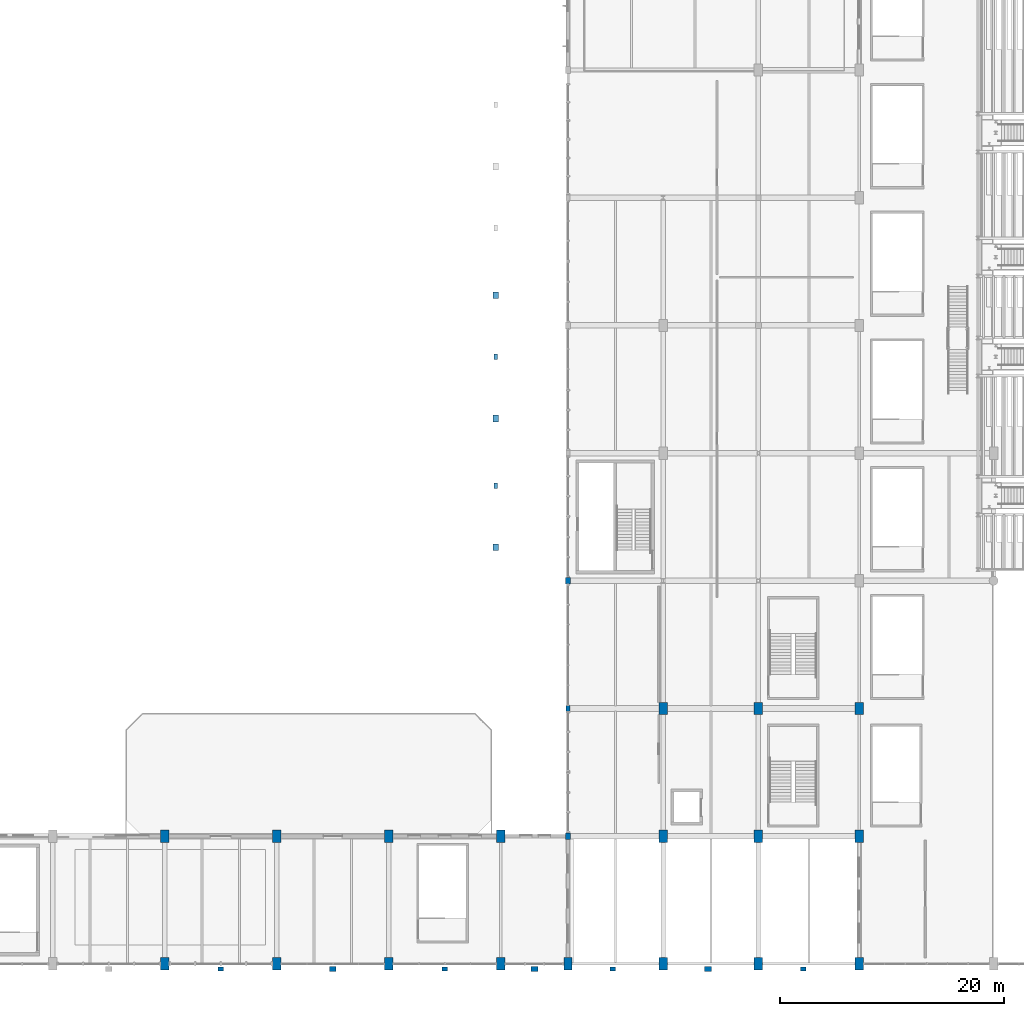
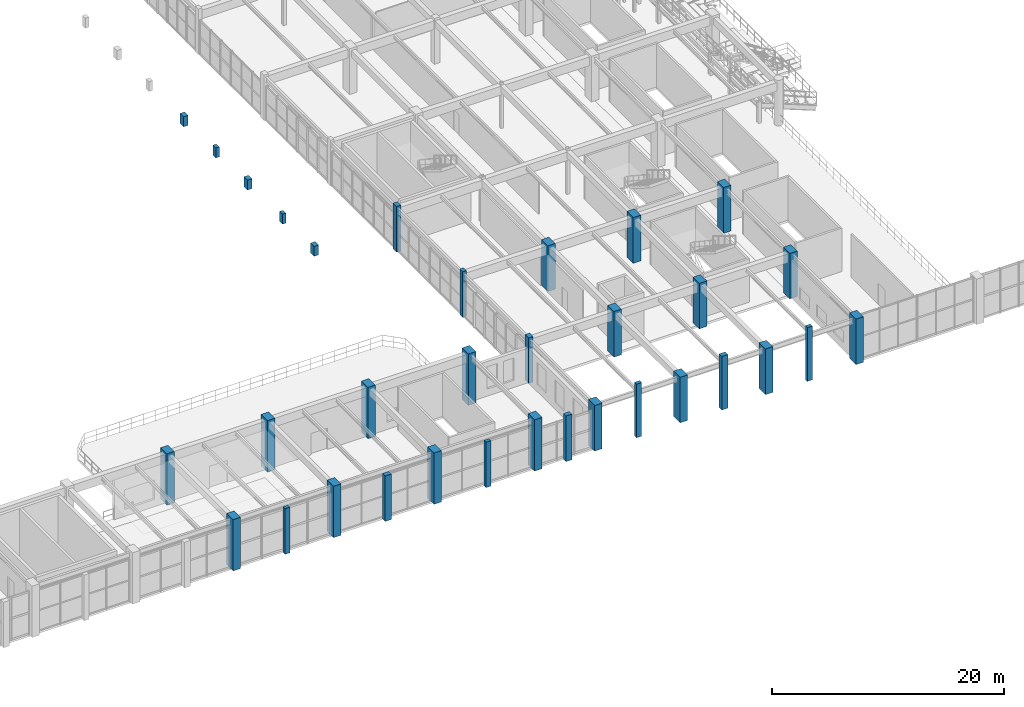
# One storey, part 5 of 106: 33 columns.
"""IFC4 building model written with IfcOpenShell, lengths in metres."""

import ifcopenshell
import ifcopenshell.guid

model = None  # the IFC model being written
_history = None  # IfcOwnerHistory: only IFC2X3 demands one
_inside = {}  # id of a spatial element -> (the spatial element, [elements in it])
_under = {}  # id of a project, library or spatial element -> (it, [spatial elements below it])
_declared = {}  # id of a project -> (the project, [libraries it declares])
_typed = {}  # id of a type object -> (the type object, [elements of that type])
_made_of = {}  # id of a material, layer set ... -> (it, [elements and type objects made of it])


def new_model(schema):
    """Start an empty IFC model of exactly this schema.

    Asked for "IFC4X3", IfcOpenShell would pick the latest addendum, in which some entities
    have other attributes; the version numbers below select the first issue.
    IFC2X3 requires an IfcOwnerHistory on every rooted entity: one is made here for all.
    """
    global model, _history
    if schema == "IFC4X3":
        model = ifcopenshell.file(schema_version=(4, 3, 0, 0))
    else:
        model = ifcopenshell.file(schema=schema)
    _inside.clear()
    _under.clear()
    _declared.clear()
    _typed.clear()
    _made_of.clear()
    _history = None
    if model.schema == "IFC2X3":
        org = make("IfcOrganization", Name="unknown")
        user = make(
            "IfcPersonAndOrganization",
            ThePerson=make("IfcPerson", FamilyName="unknown"),
            TheOrganization=org,
        )
        app = make(
            "IfcApplication",
            ApplicationDeveloper=org,
            Version="unknown",
            ApplicationFullName="unknown",
            ApplicationIdentifier="unknown",
        )
        _history = make(
            "IfcOwnerHistory",
            OwningUser=user,
            OwningApplication=app,
            ChangeAction="ADDED",
            CreationDate=0,
        )
    return model


def make(cls, **values):
    """One entity of the class cls with the attributes given. An attribute that is None is left unset."""
    return model.create_entity(
        cls, **{name: value for name, value in values.items() if value is not None}
    )


def rooted(cls, **values):
    """An entity with a GlobalId (a new one), such as an element, a storey or a relation."""
    return make(cls, GlobalId=ifcopenshell.guid.new(), OwnerHistory=_history, **values)


def si_unit(unit_type, name, prefix=None):
    """IfcSIUnit, for example si_unit("LENGTHUNIT", "METRE", prefix="MILLI")."""
    return make("IfcSIUnit", UnitType=unit_type, Prefix=prefix, Name=name)


def assignment(units):
    """IfcUnitAssignment: the units of a project."""
    return None if units is None else make("IfcUnitAssignment", Units=units)


def point(xyz):
    """IfcCartesianPoint."""
    return None if xyz is None else make("IfcCartesianPoint", Coordinates=xyz)


def direction(xyz):
    """IfcDirection."""
    return None if xyz is None else make("IfcDirection", DirectionRatios=xyz)


def frame(location, z_axis=None, x_axis=None):
    """IfcAxis2Placement3D, a coordinate frame: its origin and axes. An axis left out is left unset."""
    return make(
        "IfcAxis2Placement3D",
        Location=point(location),
        Axis=direction(z_axis),
        RefDirection=direction(x_axis),
    )


def frame_2d(location, x_axis=None):
    """IfcAxis2Placement2D, a coordinate frame in the plane: its origin and x axis."""
    return make(
        "IfcAxis2Placement2D", Location=point(location), RefDirection=direction(x_axis)
    )


def origin():
    """The frame at (0, 0, 0) with its axes left unset."""
    return frame((0.0, 0.0, 0.0))


def origin_2d():
    """The frame at (0, 0) in the plane with its x axis left unset."""
    return frame_2d((0.0, 0.0))


def place(relative_to, where):
    """IfcLocalPlacement: puts the frame where relative to a parent placement (None: the world)."""
    return make(
        "IfcLocalPlacement", PlacementRelTo=relative_to, RelativePlacement=where
    )


def context(
    kind, dimensions, precision=None, world=None, true_north=None, identifier=None
):
    """IfcGeometricRepresentationContext, for example the 3D "Model" context."""
    return make(
        "IfcGeometricRepresentationContext",
        ContextIdentifier=identifier,
        ContextType=kind,
        CoordinateSpaceDimension=dimensions,
        Precision=precision,
        WorldCoordinateSystem=world,
        TrueNorth=true_north,
    )


def subcontext(parent, identifier, kind, view, scale=None):
    """IfcGeometricRepresentationSubContext, for example "Body" below "Model"."""
    return make(
        "IfcGeometricRepresentationSubContext",
        ContextIdentifier=identifier,
        ContextType=kind,
        ParentContext=parent,
        TargetScale=scale,
        TargetView=view,
    )


def project(units=None, contexts=None):
    """IfcProject with its units and contexts."""
    return rooted(
        "IfcProject",
        Name="project",
        RepresentationContexts=contexts,
        UnitsInContext=assignment(units),
    )


def spatial(cls, under=None, at=None, **own):
    """A site, building, storey or space (cls), placed at a placement, below another one or the project."""
    s = rooted(cls, ObjectPlacement=at, **own)
    if under is not None:
        _under.setdefault(under.id(), (under, []))[1].append(s)
    return s


def profile(cls, at=None, kind="AREA", **sizes):
    """A parametric profile (cls). Its sizes go by their IFC names, for example OverallWidth=200.0."""
    return make(cls, ProfileType=kind, Position=at, **sizes)


def rectangle(**sizes):
    """IfcRectangleProfileDef."""
    return profile("IfcRectangleProfileDef", **sizes)


def extrude(swept, where, along, depth):
    """IfcExtrudedAreaSolid: the profile swept, set in the frame where, extruded along a direction by depth."""
    return make(
        "IfcExtrudedAreaSolid",
        SweptArea=swept,
        Position=where,
        ExtrudedDirection=direction(along),
        Depth=depth,
    )


def shape(context_of_items, identifier, shape_type, items):
    """IfcShapeRepresentation: the items that make up one representation, for example the "Body"."""
    return make(
        "IfcShapeRepresentation",
        ContextOfItems=context_of_items,
        RepresentationIdentifier=identifier,
        RepresentationType=shape_type,
        Items=items,
    )


def material(Name=None, Category=None):
    """IfcMaterial."""
    return make("IfcMaterial", Name=Name, Category=Category)


def material_profile(
    of_material, cross_section, Name=None, Category=None, Priority=None
):
    """IfcMaterialProfile: a cross section and its material."""
    return make(
        "IfcMaterialProfile",
        Name=Name,
        Material=of_material,
        Profile=cross_section,
        Priority=Priority,
        Category=Category,
    )


def profile_set(profiles, Name=None, composite=None):
    """IfcMaterialProfileSet."""
    return make(
        "IfcMaterialProfileSet",
        Name=Name,
        MaterialProfiles=profiles,
        CompositeProfile=composite,
    )


def made_of(thing, what):
    """Note that an element or type object is made of a material, layer set ...; save() writes the relation."""
    if what is not None:
        _made_of.setdefault(what.id(), (what, []))[1].append(thing)
    return thing


def type_object(cls, material=None, **own):
    """A type object (cls), such as IfcWallType, which elements share."""
    return made_of(rooted(cls, **own), material)


def element(
    cls,
    number,
    at=None,
    inside=None,
    cuts=None,
    type_object=None,
    material=None,
    context=None,
    identifier="Body",
    shape_type=None,
    held_by="IfcProductDefinitionShape",
    body=None,
    shapes=None,
    **own,
):
    """One element of the class cls, such as IfcWall. Its Tag is "e" and its number.

    at: its placement. inside: the storey or other place that contains it. cuts: it is an
    opening in that element (IfcRelVoidsElement). A single representation is given by context,
    identifier, shape_type and body (its items); several are given by shapes. held_by: the class
    of the entity that holds the representations. save() writes the other relations.
    """
    e = rooted(cls, Tag="e%d" % number, ObjectPlacement=at, **own)
    if body is not None:
        shapes = [shape(context, identifier, shape_type, body)]
    if shapes is not None:
        e.Representation = make(held_by, Representations=shapes)
    if inside is not None:
        _inside.setdefault(inside.id(), (inside, []))[1].append(e)
    if cuts is not None:
        rooted(
            "IfcRelVoidsElement", RelatingBuildingElement=cuts, RelatedOpeningElement=e
        )
    if type_object is not None:
        _typed.setdefault(type_object.id(), (type_object, []))[1].append(e)
    return made_of(e, material)


def aggregate(whole, parts):
    """IfcRelAggregates: a whole, such as a stair, and the parts it consists of."""
    return rooted("IfcRelAggregates", RelatingObject=whole, RelatedObjects=parts)


def save(model, path):
    """Write the relations noted so far, then the file.

    IfcRelAggregates (storeys below a building ...), IfcRelContainedInSpatialStructure (elements
    in a storey), IfcRelDefinesByType, IfcRelAssociatesMaterial and IfcRelDeclares: one each for
    every whole, place, type object, material and project.
    """
    for whole, parts in _under.values():
        aggregate(whole, parts)
    for where, things in _inside.values():
        rooted(
            "IfcRelContainedInSpatialStructure",
            RelatedElements=things,
            RelatingStructure=where,
        )
    for kind, things in _typed.values():
        rooted("IfcRelDefinesByType", RelatedObjects=things, RelatingType=kind)
    for what, things in _made_of.values():
        rooted("IfcRelAssociatesMaterial", RelatedObjects=things, RelatingMaterial=what)
    for by, libraries in _declared.values():
        rooted("IfcRelDeclares", RelatingContext=by, RelatedDefinitions=libraries)
    model.write(path)


model = new_model("IFC4")

# Units and contexts
model_context = context("Model", 3, precision=1e-05, world=origin(), true_north=direction((0.0, 1.0)))
body_context = subcontext(model_context, "Body", "Model", "MODEL_VIEW")
ifc_project = project(units=[si_unit("LENGTHUNIT", "METRE"), si_unit("AREAUNIT", "SQUARE_METRE"), si_unit("VOLUMEUNIT", "CUBIC_METRE"), si_unit("PLANEANGLEUNIT", "RADIAN"), si_unit("MASSUNIT", "GRAM", prefix="KILO"), si_unit("POWERUNIT", "WATT"), si_unit("THERMODYNAMICTEMPERATUREUNIT", "KELVIN")], contexts=[model_context])

# Site, building, storey
site_placement = place(None, origin())
site = spatial("IfcSite", under=ifc_project, at=site_placement, CompositionType="ELEMENT")
building_placement = place(site_placement, origin())
building = spatial("IfcBuilding", under=site, at=building_placement, Name="Kelmbourne Parkland Aquatics Centre", CompositionType="ELEMENT")
storey_placement = place(building_placement, frame((0.0, 0.0, 5.39990234375)))
storey = spatial("IfcBuildingStorey", under=building, at=storey_placement, Name="L01", CompositionType="ELEMENT", Elevation=5.39990234375)

# Columns
ifc_material_1 = material(Name="Concrete C40/50", Category="concrete")
ifc_material_profile_1 = material_profile(ifc_material_1, rectangle(XDim=0.75, YDim=1.10009765625, at=origin_2d()), Name="RC 750x1100")
ifc_profile_set_1 = profile_set([ifc_material_profile_1], Name="Concrete C40/50")
column_type_1 = type_object("IfcColumnType", Name="COL-C03", PredefinedType="COLUMN", material=ifc_profile_set_1)
for number, where, z_axis, x_axis, name in (
    (1, (66.0, 0.800048828125, 0.0), (0.0, 0.0, 1.0), (1.0, 0.0, 0.0), "Structural column I-01 (L01)"),
    (2, (66.0, 12.199951171875, 0.0), (0.0, 0.0, 1.0), (1.0, 0.0, 0.0), "Structural column I-03 (L01)"),
    (3, (76.0, 0.800048828125, 0.0), (0.0, 0.0, 1.0), (1.0, 0.0, 0.0), "Structural column J-01 (L01)"),
    (4, (76.0, 12.199951171875, 0.0), (0.0, 0.0, 1.0), (1.0, 0.0, 0.0), "Structural column J-03 (L01)"),
    (5, (86.0, 0.800048828125, 0.0), (0.0, 0.0, 1.0), (1.0, 0.0, 0.0), "Structural column K-01 (L01)"),
    (6, (86.0, 12.199951171875, 0.0), (0.0, 0.0, 1.0), (1.0, 0.0, 0.0), "Structural column K-03 (L01)"),
    (7, (96.0, 0.800048828125, 0.0), (0.0, 0.0, 1.0), (1.0, 0.0, 0.0), "Structural column L-01 (L01)"),
    (8, (96.0, 12.199951171875, 0.0), (0.0, 0.0, 1.0), (1.0, 0.0, 0.0), "Structural column L-03 (L01)"),
):
    element("IfcColumn", number, at=place(storey_placement, frame(where, z_axis=z_axis, x_axis=x_axis)), inside=storey, type_object=column_type_1, Name=name, PredefinedType="COLUMN", context=body_context, shape_type="SweptSolid", body=[
        extrude(rectangle(XDim=0.75, YDim=1.10009765625, at=origin_2d()), origin(), (0.0, 0.0, 1.0), 5.400146484375),
    ])
for number, where, z_axis, x_axis, name in (
    (9, (102.0, 0.800048828125, 0.0), (0.0, 0.0, 1.0), (1.0, 0.0, 0.0), "Structural column M-01 (L01)"),
    (10, (110.5, 0.800048828125, 0.0), (0.0, 0.0, 1.0), (1.0, 0.0, 0.0), "Structural column N-01 (L01)"),
    (11, (110.5, 12.199951171875, 0.0), (0.0, 0.0, 1.0), (1.0, 0.0, 0.0), "Structural column N-03 (L01)"),
    (12, (110.5, 23.60009765625, 0.0), (0.0, 0.0, 1.0), (1.0, 0.0, 0.0), "Structural column N-04 (L01)"),
    (13, (119.0, 0.800048828125, 0.0), (0.0, 0.0, 1.0), (1.0, 0.0, 0.0), "Structural column O-01 (L01)"),
    (14, (119.0, 12.199951171875, 0.0), (0.0, 0.0, 1.0), (1.0, 0.0, 0.0), "Structural column O-03 (L01)"),
    (15, (119.0, 23.60009765625, 0.0), (0.0, 0.0, 1.0), (1.0, 0.0, 0.0), "Structural column O-04 (L01)"),
    (16, (128.0, 0.800048828125, 0.0), (0.0, 0.0, 1.0), (1.0, 0.0, 0.0), "Structural column P-01 (L01)"),
    (17, (128.0, 12.199951171875, 0.0), (0.0, 0.0, 1.0), (1.0, 0.0, 0.0), "Structural column P-03 (L01)"),
    (18, (128.0, 23.60009765625, 0.0), (0.0, 0.0, 1.0), (1.0, 0.0, 0.0), "Structural column P-04 (L01)"),
):
    element("IfcColumn", number, at=place(storey_placement, frame(where, z_axis=z_axis, x_axis=x_axis)), inside=storey, type_object=column_type_1, Name=name, PredefinedType="COLUMN", context=body_context, shape_type="SweptSolid", body=[
        extrude(rectangle(XDim=0.75, YDim=1.10009765625, at=origin_2d()), origin(), (0.0, 0.0, 1.0), 4.800048828125),
    ])
ifc_material_2 = material(Name="Clay brick masonry AS 3700 M12", Category="masonry")
ifc_material_profile_2 = material_profile(ifc_material_2, rectangle(XDim=0.35009765625, YDim=0.5, at=origin_2d()), Name="PIL 350x500")
ifc_profile_set_2 = profile_set([ifc_material_profile_2], Name="Clay brick masonry AS 3700 M12")
column_type_2 = type_object("IfcColumnType", Name="PIL-PL1", PredefinedType="PILASTER", material=ifc_profile_set_2)
for number, where, z_axis, x_axis, name in (
    (19, (102.0, 23.60009765625, 0.0), (0.0, 0.0, 1.0), (1.0, 0.0, 0.0), "Engaged brick pilaster M-04 (L01)"),
    (20, (71.0, 0.35009765625, 0.0), (0.0, 0.0, 1.0), (0.0, 1.0, 0.0), "Amsterdam School engaged brick buttress S-027 (L01)"),
    (21, (91.0, 0.35009765625, 0.0), (0.0, 0.0, 1.0), (0.0, 1.0, 0.0), "Amsterdam School engaged brick buttress S-029 (L01)"),
):
    element("IfcColumn", number, at=place(storey_placement, frame(where, z_axis=z_axis, x_axis=x_axis)), inside=storey, type_object=column_type_2, Name=name, PredefinedType="PILASTER", context=body_context, shape_type="SweptSolid", body=[
        extrude(rectangle(XDim=0.35009765625, YDim=0.5, at=origin_2d()), origin(), (0.0, 0.0, 1.0), 4.800048828125),
    ])
for number, where, z_axis, x_axis, name in (
    (22, (106.0, 0.35009765625, 0.0), (0.0, 0.0, 1.0), (0.0, 1.0, 0.0), "Amsterdam School engaged brick buttress S-031 (L01)"),
    (23, (123.0, 0.35009765625, 0.0), (0.0, 0.0, 1.0), (0.0, 1.0, 0.0), "Amsterdam School engaged brick buttress S-033 (L01)"),
):
    element("IfcColumn", number, at=place(storey_placement, frame(where, z_axis=z_axis, x_axis=x_axis)), inside=storey, type_object=column_type_2, Name=name, PredefinedType="PILASTER", context=body_context, shape_type="SweptSolid", body=[
        extrude(rectangle(XDim=0.35009765625, YDim=0.5, at=origin_2d()), origin(), (0.0, 0.0, 1.0), 5.650146484375),
    ])
for number, where, z_axis, x_axis, name in (
    (24, (95.550048828125, 43.5, 0.0), (0.0, 0.0, 1.0), (1.0, 0.0, 0.0), "Amsterdam School engaged brick buttress CE-043 (L01)"),
    (25, (95.550048828125, 55.0, 0.0), (0.0, 0.0, 1.0), (1.0, 0.0, 0.0), "Amsterdam School engaged brick buttress CE-045 (L01)"),
):
    element("IfcColumn", number, at=place(storey_placement, frame(where, z_axis=z_axis, x_axis=x_axis)), inside=storey, type_object=column_type_2, Name=name, PredefinedType="PILASTER", context=body_context, shape_type="SweptSolid", body=[
        extrude(rectangle(XDim=0.35009765625, YDim=0.5, at=origin_2d()), origin(), (0.0, 0.0, 1.0), 1.050048828125),
    ])
ifc_material_profile_3 = material_profile(ifc_material_2, rectangle(XDim=0.449951171875, YDim=0.60009765625, at=origin_2d()), Name="PIL 450x600")
ifc_profile_set_3 = profile_set([ifc_material_profile_3], Name="Clay brick masonry AS 3700 M12")
column_type_3 = type_object("IfcColumnType", Name="PIL-PL2", PredefinedType="PILASTER", material=ifc_profile_set_3)
for number, where, z_axis, x_axis, name in (
    (26, (102.0, 12.199951171875, 0.0), (0.0, 0.0, 1.0), (1.0, 0.0, 0.0), "Engaged brick pilaster M-03 (L01)"),
    (27, (102.0, 35.0, 0.0), (0.0, 0.0, 1.0), (1.0, 0.0, 0.0), "Engaged brick pilaster M-05 (L01)"),
    (28, (81.0, 0.35009765625, 0.0), (0.0, 0.0, 1.0), (0.0, 1.0, 0.0), "Amsterdam School engaged brick buttress S-028 (L01)"),
    (29, (99.0, 0.35009765625, 0.0), (0.0, 0.0, 1.0), (0.0, 1.0, 0.0), "Amsterdam School engaged brick buttress S-030 (L01)"),
):
    element("IfcColumn", number, at=place(storey_placement, frame(where, z_axis=z_axis, x_axis=x_axis)), inside=storey, type_object=column_type_3, Name=name, PredefinedType="PILASTER", context=body_context, shape_type="SweptSolid", body=[
        extrude(rectangle(XDim=0.449951171875, YDim=0.60009765625, at=origin_2d()), origin(), (0.0, 0.0, 1.0), 4.800048828125),
    ])
column_placement = place(storey_placement, frame((114.5, 0.35009765625, 0.0), z_axis=(0.0, 0.0, 1.0), x_axis=(0.0, 1.0, 0.0)))
element("IfcColumn", 30, at=column_placement, inside=storey, type_object=column_type_3, Name="Amsterdam School engaged brick buttress S-032 (L01)", PredefinedType="PILASTER", context=body_context, shape_type="SweptSolid", body=[
    extrude(rectangle(XDim=0.449951171875, YDim=0.60009765625, at=origin_2d()), origin(), (0.0, 0.0, 1.0), 5.650146484375),
])
for number, where, z_axis, x_axis, name in (
    (31, (95.550048828125, 38.0, 0.0), (0.0, 0.0, 1.0), (1.0, 0.0, 0.0), "Amsterdam School engaged brick buttress CE-042 (L01)"),
    (32, (95.550048828125, 49.5, 0.0), (0.0, 0.0, 1.0), (1.0, 0.0, 0.0), "Amsterdam School engaged brick buttress CE-044 (L01)"),
    (33, (95.550048828125, 60.5, 0.0), (0.0, 0.0, 1.0), (1.0, 0.0, 0.0), "Amsterdam School engaged brick buttress CE-046 (L01)"),
):
    element("IfcColumn", number, at=place(storey_placement, frame(where, z_axis=z_axis, x_axis=x_axis)), inside=storey, type_object=column_type_3, Name=name, PredefinedType="PILASTER", context=body_context, shape_type="SweptSolid", body=[
        extrude(rectangle(XDim=0.449951171875, YDim=0.60009765625, at=origin_2d()), origin(), (0.0, 0.0, 1.0), 1.050048828125),
    ])

save(model, "model.ifc")
